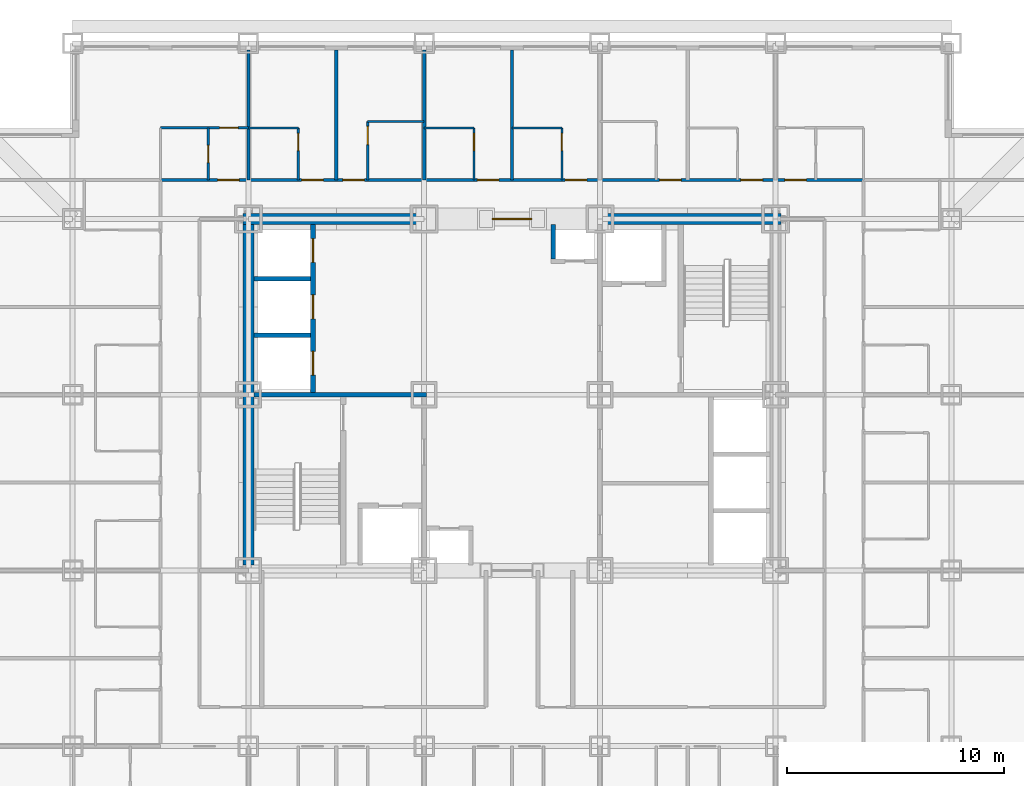
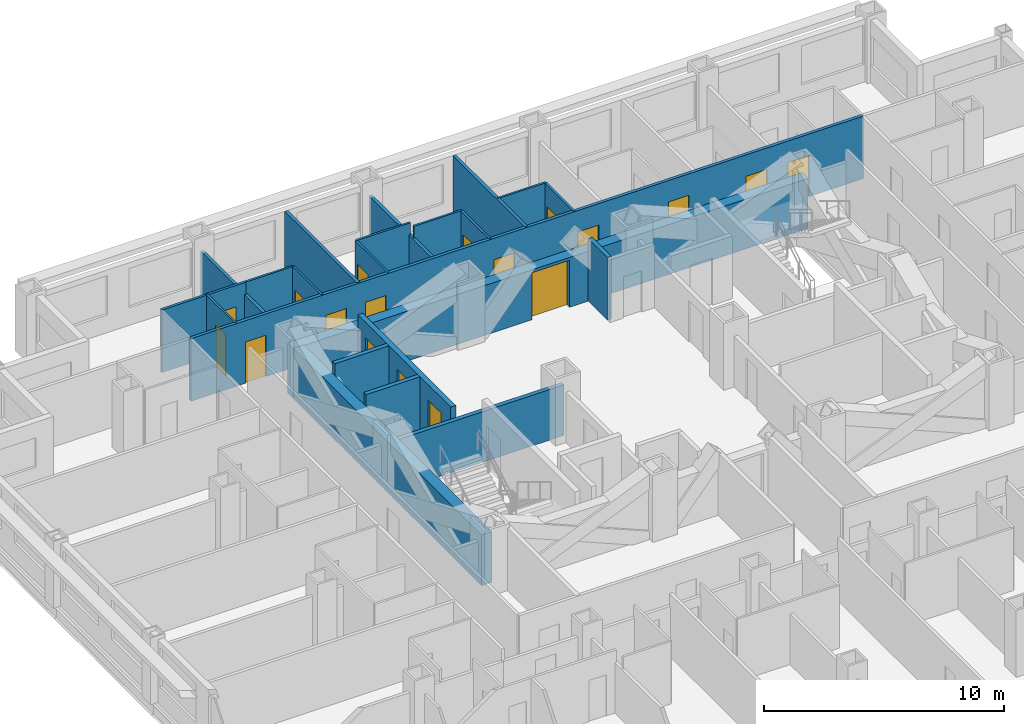
# One storey, part 8 of 11: 22 walls, 18 doors, 18 openings.
"""IFC4 building model written with IfcOpenShell, lengths in metres."""

from ifc_helpers import new_model, si_unit, direction, frame, frame_2d, origin, place, context, subcontext, project, spatial, rectangle, extrude, material, layer, layer_set, type_object, element, fill, save


model = new_model("IFC4")

# Units and contexts
model_context = context("Model", 3, precision=1e-05, world=origin(), true_north=direction((0.0, 1.0)))
body_context = subcontext(model_context, "Body", "Model", "MODEL_VIEW")
ifc_project = project(units=[si_unit("LENGTHUNIT", "METRE"), si_unit("AREAUNIT", "SQUARE_METRE"), si_unit("VOLUMEUNIT", "CUBIC_METRE"), si_unit("PLANEANGLEUNIT", "RADIAN"), si_unit("MASSUNIT", "GRAM", prefix="KILO")], contexts=[model_context])

# Site, building, storey
site_placement = place(None, origin())
site = spatial("IfcSite", under=ifc_project, at=site_placement, CompositionType="ELEMENT")
building_placement = place(site_placement, origin())
building = spatial("IfcBuilding", under=site, at=building_placement, Name="Kopane Lantern Tower", CompositionType="ELEMENT")
storey_placement = place(building_placement, frame((0.0, 0.0, 33.0)))
storey = spatial("IfcBuildingStorey", under=building, at=storey_placement, Name="L06", CompositionType="ELEMENT", Elevation=33.0)

# Wall, opening, door
ifc_material_1 = material(Name="Gypsum board on steel studs", Category="steel")
ifc_layer_1 = layer(ifc_material_1, 0.1201171875)
ifc_layer_set_1 = layer_set([ifc_layer_1], Name="APARTMENT INTERNAL WALL 120")
wall_type_1 = type_object("IfcWallType", Name="APARTMENT INTERNAL WALL 120", PredefinedType="PARTITIONING", material=ifc_layer_set_1)
wall_1_placement = place(storey_placement, frame((12.14990234375, 44.699951171875, 0.0), z_axis=(0.0, 0.0, 1.0), x_axis=(1.0, 0.0, 0.0)))
wall_1 = element("IfcWall", 1, at=wall_1_placement, inside=storey, type_object=wall_type_1, Name="Apartment Internal Wall 120 L06", PredefinedType="PARTITIONING", context=body_context, shape_type="SweptSolid", body=[
    extrude(rectangle(XDim=4.050048828125, YDim=0.1201171875, at=frame_2d((2.02490234375, 0.0))), origin(), (0.0, 0.0, 1.0), 3.18994140625),
])
opening_1_placement = place(wall_1_placement, frame((2.72509765625, 0.0, 0.0)))
opening_1 = element("IfcOpeningElement", 2, at=opening_1_placement, cuts=wall_1, Name="Opening L06-074", PredefinedType="OPENING", context=body_context, shape_type="SweptSolid", body=[
    extrude(rectangle(XDim=0.85009765625, YDim=2.10009765625, at=frame_2d((0.425048828125, 1.050048828125))), frame((0.0, 0.070068359375, 0.0), z_axis=(0.0, -1.0, 0.0), x_axis=(1.0, 0.0, 0.0)), (0.0, 0.0, 1.0), 0.14013671875),
])
ifc_material_2 = material(Name="Timber door set", Category="wood")
door_type_1 = type_object("IfcDoorType", Name="DOOR D4 850x2100", OperationType="SINGLE_SWING_LEFT", PredefinedType="DOOR", material=ifc_material_2)
door_1_placement = place(opening_1_placement, origin())
door_1 = element("IfcDoor", 3, at=door_1_placement, inside=storey, type_object=door_type_1, Name="Door L06-074", OperationType="SINGLE_SWING_LEFT", OverallHeight=2.10009765625, OverallWidth=0.85009765625, PredefinedType="DOOR", context=body_context, shape_type="SweptSolid", body=[
    extrude(rectangle(XDim=0.85009765625, YDim=2.10009765625, at=frame_2d((0.425048828125, 1.050048828125))), frame((0.0, 0.02490234375, 0.0), z_axis=(0.0, -1.0, 0.0), x_axis=(1.0, 0.0, 0.0)), (0.0, 0.0, 1.0), 0.050048828125),
])
fill(opening_1, door_1)

# Wall
ifc_material_3 = material(Name="Moisture-resistant board on steel studs", Category="steel")
ifc_layer_2 = layer(ifc_material_3, 0.10009765625)
ifc_layer_set_2 = layer_set([ifc_layer_2], Name="BATHROOM WALL 100")
wall_type_2 = type_object("IfcWallType", Name="BATHROOM WALL 100", PredefinedType="PARTITIONING", material=ifc_layer_set_2)
wall_2_placement = place(storey_placement, frame((16.199951171875, 44.699951171875, 0.0), z_axis=(0.0, 0.0, 1.0), x_axis=(1.0, 0.0, 0.0)))
element("IfcWall", 4, at=wall_2_placement, inside=storey, type_object=wall_type_2, Name="Bathroom Wall 100 L06", PredefinedType="PARTITIONING", context=body_context, shape_type="SweptSolid", body=[
    extrude(rectangle(XDim=2.300048828125, YDim=0.10009765625, at=frame_2d((1.14990234375, 0.0))), origin(), (0.0, 0.0, 1.0), 3.18994140625),
])

# Wall, opening, door
wall_3_placement = place(storey_placement, frame((18.5, 42.300048828125, 0.0), z_axis=(0.0, 0.0, 1.0), x_axis=(0.0, 1.0, 0.0)))
wall_3 = element("IfcWall", 5, at=wall_3_placement, inside=storey, type_object=wall_type_2, Name="Bathroom Wall 100 L06", PredefinedType="PARTITIONING", context=body_context, shape_type="SweptSolid", body=[
    extrude(rectangle(XDim=2.39990234375, YDim=0.10009765625, at=frame_2d((1.199951171875, 0.0))), origin(), (0.0, 0.0, 1.0), 3.18994140625),
])
opening_2_placement = place(wall_3_placement, frame((1.35009765625, 0.0, 0.0)))
opening_2 = element("IfcOpeningElement", 6, at=opening_2_placement, cuts=wall_3, Name="Opening L06-023", PredefinedType="OPENING", context=body_context, shape_type="SweptSolid", body=[
    extrude(rectangle(XDim=0.800048828125, YDim=2.10009765625, at=frame_2d((0.39990234375, 1.050048828125))), frame((0.0, 0.06005859375, 0.0), z_axis=(0.0, -1.0, 0.0), x_axis=(1.0, 0.0, 0.0)), (0.0, 0.0, 1.0), 0.1201171875),
])
ifc_material_4 = material(Name="Timber door set", Category="wood")
door_type_2 = type_object("IfcDoorType", Name="DOOR D2 800x2100", OperationType="SINGLE_SWING_LEFT", PredefinedType="DOOR", material=ifc_material_4)
door_2_placement = place(opening_2_placement, origin())
door_2 = element("IfcDoor", 7, at=door_2_placement, inside=storey, type_object=door_type_2, Name="Door L06-023", OperationType="SINGLE_SWING_RIGHT", OverallHeight=2.10009765625, OverallWidth=0.800048828125, PredefinedType="DOOR", context=body_context, shape_type="SweptSolid", body=[
    extrude(rectangle(XDim=0.800048828125, YDim=2.10009765625, at=frame_2d((0.39990234375, 1.050048828125))), frame((0.0, 0.02490234375, 0.0), z_axis=(0.0, -1.0, 0.0), x_axis=(1.0, 0.0, 0.0)), (0.0, 0.0, 1.0), 0.050048828125),
])
fill(opening_2, door_2)

# Wall
wall_4_placement = place(storey_placement, frame((21.699951171875, 45.0, 0.0), z_axis=(0.0, 0.0, 1.0), x_axis=(1.0, 0.0, 0.0)))
element("IfcWall", 8, at=wall_4_placement, inside=storey, type_object=wall_type_2, Name="Bathroom Wall 100 L06", PredefinedType="PARTITIONING", context=body_context, shape_type="SweptSolid", body=[
    extrude(rectangle(XDim=2.60009765625, YDim=0.10009765625, at=frame_2d((1.300048828125, 0.0))), origin(), (0.0, 0.0, 1.0), 3.18994140625),
])

# Wall, opening, door
wall_5_placement = place(storey_placement, frame((21.699951171875, 42.300048828125, 0.0), z_axis=(0.0, 0.0, 1.0), x_axis=(0.0, 1.0, 0.0)))
wall_5 = element("IfcWall", 9, at=wall_5_placement, inside=storey, type_object=wall_type_2, Name="Bathroom Wall 100 L06", PredefinedType="PARTITIONING", context=body_context, shape_type="SweptSolid", body=[
    extrude(rectangle(XDim=2.699951171875, YDim=0.10009765625, at=frame_2d((1.35009765625, 0.0))), origin(), (0.0, 0.0, 1.0), 3.18994140625),
])
opening_3_placement = place(wall_5_placement, frame((1.625, 0.0, 0.0)))
opening_3 = element("IfcOpeningElement", 10, at=opening_3_placement, cuts=wall_5, Name="Opening L06-025", PredefinedType="OPENING", context=body_context, shape_type="SweptSolid", body=[
    extrude(rectangle(XDim=0.85009765625, YDim=2.10009765625, at=frame_2d((0.425048828125, 1.050048828125))), frame((0.0, 0.06005859375, 0.0), z_axis=(0.0, -1.0, 0.0), x_axis=(1.0, 0.0, 0.0)), (0.0, 0.0, 1.0), 0.1201171875),
])
door_3_placement = place(opening_3_placement, origin())
door_3 = element("IfcDoor", 11, at=door_3_placement, inside=storey, type_object=door_type_1, Name="Door L06-025", OperationType="SINGLE_SWING_LEFT", OverallHeight=2.10009765625, OverallWidth=0.85009765625, PredefinedType="DOOR", context=body_context, shape_type="SweptSolid", body=[
    extrude(rectangle(XDim=0.85009765625, YDim=2.10009765625, at=frame_2d((0.425048828125, 1.050048828125))), frame((0.0, 0.02490234375, 0.0), z_axis=(0.0, -1.0, 0.0), x_axis=(1.0, 0.0, 0.0)), (0.0, 0.0, 1.0), 0.050048828125),
])
fill(opening_3, door_3)

# Wall
wall_6_placement = place(storey_placement, frame((24.300048828125, 44.699951171875, 0.0), z_axis=(0.0, 0.0, 1.0), x_axis=(1.0, 0.0, 0.0)))
element("IfcWall", 12, at=wall_6_placement, inside=storey, type_object=wall_type_2, Name="Bathroom Wall 100 L06", PredefinedType="PARTITIONING", context=body_context, shape_type="SweptSolid", body=[
    extrude(rectangle(XDim=2.300048828125, YDim=0.10009765625, at=frame_2d((1.14990234375, 0.0))), origin(), (0.0, 0.0, 1.0), 3.18994140625),
])

# Wall, opening, door
wall_7_placement = place(storey_placement, frame((26.60009765625, 42.300048828125, 0.0), z_axis=(0.0, 0.0, 1.0), x_axis=(0.0, 1.0, 0.0)))
wall_7 = element("IfcWall", 13, at=wall_7_placement, inside=storey, type_object=wall_type_2, Name="Bathroom Wall 100 L06", PredefinedType="PARTITIONING", context=body_context, shape_type="SweptSolid", body=[
    extrude(rectangle(XDim=2.39990234375, YDim=0.10009765625, at=frame_2d((1.199951171875, 0.0))), origin(), (0.0, 0.0, 1.0), 3.18994140625),
])
opening_4_placement = place(wall_7_placement, frame((1.35009765625, 0.0, 0.0)))
opening_4 = element("IfcOpeningElement", 14, at=opening_4_placement, cuts=wall_7, Name="Opening L06-027", PredefinedType="OPENING", context=body_context, shape_type="SweptSolid", body=[
    extrude(rectangle(XDim=0.800048828125, YDim=2.10009765625, at=frame_2d((0.39990234375, 1.050048828125))), frame((0.0, 0.06005859375, 0.0), z_axis=(0.0, -1.0, 0.0), x_axis=(1.0, 0.0, 0.0)), (0.0, 0.0, 1.0), 0.1201171875),
])
door_4_placement = place(opening_4_placement, origin())
door_4 = element("IfcDoor", 15, at=door_4_placement, inside=storey, type_object=door_type_2, Name="Door L06-027", OperationType="SINGLE_SWING_RIGHT", OverallHeight=2.10009765625, OverallWidth=0.800048828125, PredefinedType="DOOR", context=body_context, shape_type="SweptSolid", body=[
    extrude(rectangle(XDim=0.800048828125, YDim=2.10009765625, at=frame_2d((0.39990234375, 1.050048828125))), frame((0.0, 0.02490234375, 0.0), z_axis=(0.0, -1.0, 0.0), x_axis=(1.0, 0.0, 0.0)), (0.0, 0.0, 1.0), 0.050048828125),
])
fill(opening_4, door_4)

# Wall
wall_8_placement = place(storey_placement, frame((28.35009765625, 44.699951171875, 0.0), z_axis=(0.0, 0.0, 1.0), x_axis=(1.0, 0.0, 0.0)))
element("IfcWall", 16, at=wall_8_placement, inside=storey, type_object=wall_type_2, Name="Bathroom Wall 100 L06", PredefinedType="PARTITIONING", context=body_context, shape_type="SweptSolid", body=[
    extrude(rectangle(XDim=2.2998046875, YDim=0.10009765625, at=frame_2d((1.14990234375, 0.0))), origin(), (0.0, 0.0, 1.0), 3.18994140625),
])

# Wall, opening, door
wall_9_placement = place(storey_placement, frame((30.64990234375, 42.300048828125, 0.0), z_axis=(0.0, 0.0, 1.0), x_axis=(0.0, 1.0, 0.0)))
wall_9 = element("IfcWall", 17, at=wall_9_placement, inside=storey, type_object=wall_type_2, Name="Bathroom Wall 100 L06", PredefinedType="PARTITIONING", context=body_context, shape_type="SweptSolid", body=[
    extrude(rectangle(XDim=2.39990234375, YDim=0.10009765625, at=frame_2d((1.199951171875, 0.0))), origin(), (0.0, 0.0, 1.0), 3.18994140625),
])
opening_5_placement = place(wall_9_placement, frame((1.35009765625, 0.0, 0.0)))
opening_5 = element("IfcOpeningElement", 18, at=opening_5_placement, cuts=wall_9, Name="Opening L06-029", PredefinedType="OPENING", context=body_context, shape_type="SweptSolid", body=[
    extrude(rectangle(XDim=0.800048828125, YDim=2.10009765625, at=frame_2d((0.39990234375, 1.050048828125))), frame((0.0, 0.06005859375, 0.0), z_axis=(0.0, -1.0, 0.0), x_axis=(1.0, 0.0, 0.0)), (0.0, 0.0, 1.0), 0.1201171875),
])
door_5_placement = place(opening_5_placement, origin())
door_5 = element("IfcDoor", 19, at=door_5_placement, inside=storey, type_object=door_type_2, Name="Door L06-029", OperationType="SINGLE_SWING_RIGHT", OverallHeight=2.10009765625, OverallWidth=0.800048828125, PredefinedType="DOOR", context=body_context, shape_type="SweptSolid", body=[
    extrude(rectangle(XDim=0.800048828125, YDim=2.10009765625, at=frame_2d((0.39990234375, 1.050048828125))), frame((0.0, 0.02490234375, 0.0), z_axis=(0.0, -1.0, 0.0), x_axis=(1.0, 0.0, 0.0)), (0.0, 0.0, 1.0), 0.050048828125),
])
fill(opening_5, door_5)

wall_10_placement = place(storey_placement, frame((14.35009765625, 42.300048828125, 0.0), z_axis=(0.0, 0.0, 1.0), x_axis=(0.0, 1.0, 0.0)))
wall_10 = element("IfcWall", 20, at=wall_10_placement, inside=storey, type_object=wall_type_2, Name="Bathroom Wall 100 L06", PredefinedType="PARTITIONING", context=body_context, shape_type="SweptSolid", body=[
    extrude(rectangle(XDim=2.39990234375, YDim=0.10009765625, at=frame_2d((1.199951171875, 0.0))), origin(), (0.0, 0.0, 1.0), 3.18994140625),
])
opening_6_placement = place(wall_10_placement, frame((0.800048828125, 0.0, 0.0)))
opening_6 = element("IfcOpeningElement", 21, at=opening_6_placement, cuts=wall_10, Name="Opening L06-072", PredefinedType="OPENING", context=body_context, shape_type="SweptSolid", body=[
    extrude(rectangle(XDim=0.800048828125, YDim=2.10009765625, at=frame_2d((0.39990234375, 1.050048828125))), frame((0.0, 0.06005859375, 0.0), z_axis=(0.0, -1.0, 0.0), x_axis=(1.0, 0.0, 0.0)), (0.0, 0.0, 1.0), 0.1201171875),
])
door_6_placement = place(opening_6_placement, origin())
door_6 = element("IfcDoor", 22, at=door_6_placement, inside=storey, type_object=door_type_2, Name="Door L06-072", OperationType="SINGLE_SWING_LEFT", OverallHeight=2.10009765625, OverallWidth=0.800048828125, PredefinedType="DOOR", context=body_context, shape_type="SweptSolid", body=[
    extrude(rectangle(XDim=0.800048828125, YDim=2.10009765625, at=frame_2d((0.39990234375, 1.050048828125))), frame((0.0, 0.02490234375, 0.0), z_axis=(0.0, -1.0, 0.0), x_axis=(1.0, 0.0, 0.0)), (0.0, 0.0, 1.0), 0.050048828125),
])
fill(opening_6, door_6)

ifc_material_5 = material(Name="Gypsum shaft wall EI 120", Category="gypsum")
ifc_layer_3 = layer(ifc_material_5, 0.5)
ifc_layer_set_3 = layer_set([ifc_layer_3], Name="CORE PERIMETER WALL 500 EI 120")
wall_type_3 = type_object("IfcWallType", Name="CORE PERIMETER WALL 500 EI 120", PredefinedType="SOLIDWALL", material=ifc_layer_set_3)
wall_11_placement = place(storey_placement, frame((15.949951171875, 40.5, 0.0), z_axis=(0.0, 0.0, 1.0), x_axis=(1.0, 0.0, 0.0)))
wall_11 = element("IfcWall", 23, at=wall_11_placement, inside=storey, type_object=wall_type_3, Name="Core shaft wall L06 PN", PredefinedType="SOLIDWALL", context=body_context, shape_type="SweptSolid", body=[
    extrude(rectangle(XDim=24.800048828125, YDim=0.5, at=frame_2d((12.39990234375, 0.0))), origin(), (0.0, 0.0, 1.0), 2.5400390625),
])
opening_7_placement = place(wall_11_placement, frame((11.5, 0.0, 0.0)))
opening_7 = element("IfcOpeningElement", 24, at=opening_7_placement, cuts=wall_11, Name="Opening 06.CE-N", PredefinedType="OPENING", context=body_context, shape_type="SweptSolid", body=[
    extrude(rectangle(XDim=1.800048828125, YDim=2.39990234375, at=frame_2d((0.89990234375, 1.199951171875))), frame((0.0, 0.260009765625, 0.0), z_axis=(0.0, -1.0, 0.0), x_axis=(1.0, 0.0, 0.0)), (0.0, 0.0, 1.0), 0.52001953125),
])
ifc_material_6 = material(Name="Steel door set", Category="steel")
door_type_3 = type_object("IfcDoorType", Name="CORE ENTRY DOOR 1800x2400 FD60S", OperationType="DOUBLE_DOOR_SINGLE_SWING", PredefinedType="DOOR", material=ifc_material_6)
door_7_placement = place(opening_7_placement, origin())
door_7 = element("IfcDoor", 25, at=door_7_placement, inside=storey, type_object=door_type_3, Name="Core entry door L06 north", OperationType="DOUBLE_DOOR_SINGLE_SWING", OverallHeight=2.39990234375, OverallWidth=1.800048828125, PredefinedType="DOOR", context=body_context, shape_type="SweptSolid", body=[
    extrude(rectangle(XDim=1.800048828125, YDim=2.39990234375, at=frame_2d((0.89990234375, 1.199951171875))), frame((0.0, 0.02490234375, 0.0), z_axis=(0.0, -1.0, 0.0), x_axis=(1.0, 0.0, 0.0)), (0.0, 0.0, 1.0), 0.050048828125),
])
fill(opening_7, door_7)

# Wall
wall_12_placement = place(storey_placement, frame((16.199951171875, 24.550048828125, 0.0), z_axis=(0.0, 0.0, 1.0), x_axis=(0.0, 1.0, 0.0)))
element("IfcWall", 26, at=wall_12_placement, inside=storey, type_object=wall_type_3, Name="Core shaft wall L06 PW", PredefinedType="SOLIDWALL", context=body_context, shape_type="SweptSolid", body=[
    extrude(rectangle(XDim=15.699951171875, YDim=0.5, at=frame_2d((7.85009765625, 0.0))), origin(), (0.0, 0.0, 1.0), 2.577880859375),
])

# Wall, openings, doors
ifc_material_7 = material(Name="Gypsum shaft wall EI 120", Category="gypsum")
ifc_layer_4 = layer(ifc_material_7, 0.25)
ifc_layer_set_4 = layer_set([ifc_layer_4], Name="CORE SHAFT WALL 250 EI 120")
wall_type_4 = type_object("IfcWallType", Name="CORE SHAFT WALL 250 EI 120", PredefinedType="SOLIDWALL", material=ifc_layer_set_4)
wall_13_placement = place(storey_placement, frame((19.175048828125, 32.5, 0.0), z_axis=(0.0, 0.0, 1.0), x_axis=(0.0, 1.0, 0.0)))
wall_13 = element("IfcWall", 27, at=wall_13_placement, inside=storey, type_object=wall_type_4, Name="Core shaft wall L06 XLH", PredefinedType="SOLIDWALL", context=body_context, shape_type="SweptSolid", body=[
    extrude(rectangle(XDim=7.75, YDim=0.25, at=frame_2d((3.875, 0.0))), origin(), (0.0, 0.0, 1.0), 3.18994140625),
])
opening_8_placement = place(wall_13_placement, frame((0.800048828125, 0.0, 0.0)))
opening_8 = element("IfcOpeningElement", 28, at=opening_8_placement, cuts=wall_13, Name="Opening 06.LD-LH1", PredefinedType="OPENING", context=body_context, shape_type="SweptSolid", body=[
    extrude(rectangle(XDim=1.10009765625, YDim=2.39990234375, at=frame_2d((0.550048828125, 1.199951171875))), frame((0.0, 0.135009765625, 0.0), z_axis=(0.0, -1.0, 0.0), x_axis=(1.0, 0.0, 0.0)), (0.0, 0.0, 1.0), 0.27001953125),
])
opening_9_placement = place(wall_13_placement, frame((3.39990234375, 0.0, 0.0)))
opening_9 = element("IfcOpeningElement", 29, at=opening_9_placement, cuts=wall_13, Name="Opening 06.LD-LH2", PredefinedType="OPENING", context=body_context, shape_type="SweptSolid", body=[
    extrude(rectangle(XDim=1.10009765625, YDim=2.39990234375, at=frame_2d((0.550048828125, 1.199951171875))), frame((0.0, 0.135009765625, 0.0), z_axis=(0.0, -1.0, 0.0), x_axis=(1.0, 0.0, 0.0)), (0.0, 0.0, 1.0), 0.27001953125),
])
opening_10_placement = place(wall_13_placement, frame((6.0, 0.0, 0.0)))
opening_10 = element("IfcOpeningElement", 30, at=opening_10_placement, cuts=wall_13, Name="Opening 06.LD-LH3", PredefinedType="OPENING", context=body_context, shape_type="SweptSolid", body=[
    extrude(rectangle(XDim=1.10009765625, YDim=2.39990234375, at=frame_2d((0.550048828125, 1.199951171875))), frame((0.0, 0.135009765625, 0.0), z_axis=(0.0, -1.0, 0.0), x_axis=(1.0, 0.0, 0.0)), (0.0, 0.0, 1.0), 0.27001953125),
])
ifc_material_8 = material(Name="Steel door set", Category="steel")
door_type_4 = type_object("IfcDoorType", Name="LIFT LANDING DOOR 1100x2400 FD60", OperationType="DOUBLE_DOOR_SLIDING", PredefinedType="DOOR", material=ifc_material_8)
door_8_placement = place(opening_8_placement, origin())
door_8 = element("IfcDoor", 31, at=door_8_placement, inside=storey, type_object=door_type_4, Name="Landing door LH1 L06", OperationType="DOUBLE_DOOR_SLIDING", OverallHeight=2.39990234375, OverallWidth=1.10009765625, PredefinedType="DOOR", context=body_context, shape_type="SweptSolid", body=[
    extrude(rectangle(XDim=1.10009765625, YDim=2.39990234375, at=frame_2d((0.550048828125, 1.199951171875))), frame((0.0, 0.02490234375, 0.0), z_axis=(0.0, -1.0, 0.0), x_axis=(1.0, 0.0, 0.0)), (0.0, 0.0, 1.0), 0.050048828125),
])
fill(opening_8, door_8)
door_9_placement = place(opening_9_placement, origin())
door_9 = element("IfcDoor", 32, at=door_9_placement, inside=storey, type_object=door_type_4, Name="Landing door LH2 L06", OperationType="DOUBLE_DOOR_SLIDING", OverallHeight=2.39990234375, OverallWidth=1.10009765625, PredefinedType="DOOR", context=body_context, shape_type="SweptSolid", body=[
    extrude(rectangle(XDim=1.10009765625, YDim=2.39990234375, at=frame_2d((0.550048828125, 1.199951171875))), frame((0.0, 0.02490234375, 0.0), z_axis=(0.0, -1.0, 0.0), x_axis=(1.0, 0.0, 0.0)), (0.0, 0.0, 1.0), 0.050048828125),
])
fill(opening_9, door_9)
door_10_placement = place(opening_10_placement, origin())
door_10 = element("IfcDoor", 33, at=door_10_placement, inside=storey, type_object=door_type_4, Name="Landing door LH3 L06", OperationType="DOUBLE_DOOR_SLIDING", OverallHeight=2.39990234375, OverallWidth=1.10009765625, PredefinedType="DOOR", context=body_context, shape_type="SweptSolid", body=[
    extrude(rectangle(XDim=1.10009765625, YDim=2.39990234375, at=frame_2d((0.550048828125, 1.199951171875))), frame((0.0, 0.02490234375, 0.0), z_axis=(0.0, -1.0, 0.0), x_axis=(1.0, 0.0, 0.0)), (0.0, 0.0, 1.0), 0.050048828125),
])
fill(opening_10, door_10)

ifc_material_9 = material(Name="Gypsum board on steel studs", Category="steel")
ifc_layer_5 = layer(ifc_material_9, 0.14990234375)
ifc_layer_set_5 = layer_set([ifc_layer_5], Name="CORRIDOR WALL 150 EI 60")
wall_type_5 = type_object("IfcWallType", Name="CORRIDOR WALL 150 EI 60", PredefinedType="PARTITIONING", material=ifc_layer_set_5)
wall_14_placement = place(storey_placement, frame((12.14990234375, 42.300048828125, 0.0), z_axis=(0.0, 0.0, 1.0), x_axis=(1.0, 0.0, 0.0)))
wall_14 = element("IfcWall", 34, at=wall_14_placement, inside=storey, type_object=wall_type_5, Name="Corridor Wall 150 Ei 60 L06", PredefinedType="PARTITIONING", context=body_context, shape_type="SweptSolid", body=[
    extrude(rectangle(XDim=32.400146484375, YDim=0.14990234375, at=frame_2d((16.2001953125, 0.0))), origin(), (0.0, 0.0, 1.0), 3.18994140625),
])
opening_11_placement = place(wall_14_placement, frame((6.5, 0.0, 0.0)))
opening_11 = element("IfcOpeningElement", 35, at=opening_11_placement, cuts=wall_14, Name="Opening L06-024", PredefinedType="OPENING", context=body_context, shape_type="SweptSolid", body=[
    extrude(rectangle(XDim=1.0, YDim=2.10009765625, at=frame_2d((0.5, 1.050048828125))), frame((0.0, 0.0849609375, 0.0), z_axis=(0.0, -1.0, 0.0), x_axis=(1.0, 0.0, 0.0)), (0.0, 0.0, 1.0), 0.169921875),
])
opening_12_placement = place(wall_14_placement, frame((8.39990234375, 0.0, 0.0)))
opening_12 = element("IfcOpeningElement", 36, at=opening_12_placement, cuts=wall_14, Name="Opening L06-026", PredefinedType="OPENING", context=body_context, shape_type="SweptSolid", body=[
    extrude(rectangle(XDim=1.0, YDim=2.10009765625, at=frame_2d((0.5, 1.050048828125))), frame((0.0, 0.0849609375, 0.0), z_axis=(0.0, -1.0, 0.0), x_axis=(1.0, 0.0, 0.0)), (0.0, 0.0, 1.0), 0.169921875),
])
opening_13_placement = place(wall_14_placement, frame((14.60009765625, 0.0, 0.0)))
opening_13 = element("IfcOpeningElement", 37, at=opening_13_placement, cuts=wall_14, Name="Opening L06-028", PredefinedType="OPENING", context=body_context, shape_type="SweptSolid", body=[
    extrude(rectangle(XDim=1.0, YDim=2.10009765625, at=frame_2d((0.5, 1.050048828125))), frame((0.0, 0.0849609375, 0.0), z_axis=(0.0, -1.0, 0.0), x_axis=(1.0, 0.0, 0.0)), (0.0, 0.0, 1.0), 0.169921875),
])
opening_14_placement = place(wall_14_placement, frame((18.64990234375, 0.0, 0.0)))
opening_14 = element("IfcOpeningElement", 38, at=opening_14_placement, cuts=wall_14, Name="Opening L06-030", PredefinedType="OPENING", context=body_context, shape_type="SweptSolid", body=[
    extrude(rectangle(XDim=1.0, YDim=2.10009765625, at=frame_2d((0.5, 1.050048828125))), frame((0.0, 0.0849609375, 0.0), z_axis=(0.0, -1.0, 0.0), x_axis=(1.0, 0.0, 0.0)), (0.0, 0.0, 1.0), 0.169921875),
])
opening_15_placement = place(wall_14_placement, frame((23.0, 0.0, 0.0)))
opening_15 = element("IfcOpeningElement", 39, at=opening_15_placement, cuts=wall_14, Name="Opening L06-032", PredefinedType="OPENING", context=body_context, shape_type="SweptSolid", body=[
    extrude(rectangle(XDim=1.0, YDim=2.10009765625, at=frame_2d((0.5, 1.050048828125))), frame((0.0, 0.0849609375, 0.0), z_axis=(0.0, -1.0, 0.0), x_axis=(1.0, 0.0, 0.0)), (0.0, 0.0, 1.0), 0.169921875),
])
opening_16_placement = place(wall_14_placement, frame((26.75, 0.0, 0.0)))
opening_16 = element("IfcOpeningElement", 40, at=opening_16_placement, cuts=wall_14, Name="Opening L06-034", PredefinedType="OPENING", context=body_context, shape_type="SweptSolid", body=[
    extrude(rectangle(XDim=1.0, YDim=2.10009765625, at=frame_2d((0.5, 1.050048828125))), frame((0.0, 0.0849609375, 0.0), z_axis=(0.0, -1.0, 0.0), x_axis=(1.0, 0.0, 0.0)), (0.0, 0.0, 1.0), 0.169921875),
])
opening_17_placement = place(wall_14_placement, frame((28.77490234375, 0.0, 0.0)))
opening_17 = element("IfcOpeningElement", 41, at=opening_17_placement, cuts=wall_14, Name="Opening L06-070", PredefinedType="OPENING", context=body_context, shape_type="SweptSolid", body=[
    extrude(rectangle(XDim=1.0, YDim=2.10009765625, at=frame_2d((0.5, 1.050048828125))), frame((0.0, 0.0849609375, 0.0), z_axis=(0.0, -1.0, 0.0), x_axis=(1.0, 0.0, 0.0)), (0.0, 0.0, 1.0), 0.169921875),
])
opening_18_placement = place(wall_14_placement, frame((2.625, 0.0, 0.0)))
opening_18 = element("IfcOpeningElement", 42, at=opening_18_placement, cuts=wall_14, Name="Opening L06-073", PredefinedType="OPENING", context=body_context, shape_type="SweptSolid", body=[
    extrude(rectangle(XDim=1.0, YDim=2.10009765625, at=frame_2d((0.5, 1.050048828125))), frame((0.0, 0.0849609375, 0.0), z_axis=(0.0, -1.0, 0.0), x_axis=(1.0, 0.0, 0.0)), (0.0, 0.0, 1.0), 0.169921875),
])
ifc_material_10 = material(Name="Steel door set", Category="steel")
door_type_5 = type_object("IfcDoorType", Name="DOOR D1 1000x2100 FD30S", OperationType="SINGLE_SWING_LEFT", PredefinedType="DOOR", material=ifc_material_10)
door_11_placement = place(opening_11_placement, origin())
door_11 = element("IfcDoor", 43, at=door_11_placement, inside=storey, type_object=door_type_5, Name="Door L06-024", OperationType="SINGLE_SWING_LEFT", OverallHeight=2.10009765625, OverallWidth=1.0, PredefinedType="DOOR", context=body_context, shape_type="SweptSolid", body=[
    extrude(rectangle(XDim=1.0, YDim=2.10009765625, at=frame_2d((0.5, 1.050048828125))), frame((0.0, 0.02490234375, 0.0), z_axis=(0.0, -1.0, 0.0), x_axis=(1.0, 0.0, 0.0)), (0.0, 0.0, 1.0), 0.050048828125),
])
fill(opening_11, door_11)
door_12_placement = place(opening_12_placement, origin())
door_12 = element("IfcDoor", 44, at=door_12_placement, inside=storey, type_object=door_type_5, Name="Door L06-026", OperationType="SINGLE_SWING_RIGHT", OverallHeight=2.10009765625, OverallWidth=1.0, PredefinedType="DOOR", context=body_context, shape_type="SweptSolid", body=[
    extrude(rectangle(XDim=1.0, YDim=2.10009765625, at=frame_2d((0.5, 1.050048828125))), frame((0.0, 0.02490234375, 0.0), z_axis=(0.0, -1.0, 0.0), x_axis=(1.0, 0.0, 0.0)), (0.0, 0.0, 1.0), 0.050048828125),
])
fill(opening_12, door_12)
door_13_placement = place(opening_13_placement, origin())
door_13 = element("IfcDoor", 45, at=door_13_placement, inside=storey, type_object=door_type_5, Name="Door L06-028", OperationType="SINGLE_SWING_LEFT", OverallHeight=2.10009765625, OverallWidth=1.0, PredefinedType="DOOR", context=body_context, shape_type="SweptSolid", body=[
    extrude(rectangle(XDim=1.0, YDim=2.10009765625, at=frame_2d((0.5, 1.050048828125))), frame((0.0, 0.02490234375, 0.0), z_axis=(0.0, -1.0, 0.0), x_axis=(1.0, 0.0, 0.0)), (0.0, 0.0, 1.0), 0.050048828125),
])
fill(opening_13, door_13)
door_14_placement = place(opening_14_placement, origin())
door_14 = element("IfcDoor", 46, at=door_14_placement, inside=storey, type_object=door_type_5, Name="Door L06-030", OperationType="SINGLE_SWING_LEFT", OverallHeight=2.10009765625, OverallWidth=1.0, PredefinedType="DOOR", context=body_context, shape_type="SweptSolid", body=[
    extrude(rectangle(XDim=1.0, YDim=2.10009765625, at=frame_2d((0.5, 1.050048828125))), frame((0.0, 0.02490234375, 0.0), z_axis=(0.0, -1.0, 0.0), x_axis=(1.0, 0.0, 0.0)), (0.0, 0.0, 1.0), 0.050048828125),
])
fill(opening_14, door_14)
door_15_placement = place(opening_15_placement, origin())
door_15 = element("IfcDoor", 47, at=door_15_placement, inside=storey, type_object=door_type_5, Name="Door L06-032", OperationType="SINGLE_SWING_LEFT", OverallHeight=2.10009765625, OverallWidth=1.0, PredefinedType="DOOR", context=body_context, shape_type="SweptSolid", body=[
    extrude(rectangle(XDim=1.0, YDim=2.10009765625, at=frame_2d((0.5, 1.050048828125))), frame((0.0, 0.02490234375, 0.0), z_axis=(0.0, -1.0, 0.0), x_axis=(1.0, 0.0, 0.0)), (0.0, 0.0, 1.0), 0.050048828125),
])
fill(opening_15, door_15)
door_16_placement = place(opening_16_placement, origin())
door_16 = element("IfcDoor", 48, at=door_16_placement, inside=storey, type_object=door_type_5, Name="Door L06-034", OperationType="SINGLE_SWING_LEFT", OverallHeight=2.10009765625, OverallWidth=1.0, PredefinedType="DOOR", context=body_context, shape_type="SweptSolid", body=[
    extrude(rectangle(XDim=1.0, YDim=2.10009765625, at=frame_2d((0.5, 1.050048828125))), frame((0.0, 0.02490234375, 0.0), z_axis=(0.0, -1.0, 0.0), x_axis=(1.0, 0.0, 0.0)), (0.0, 0.0, 1.0), 0.050048828125),
])
fill(opening_16, door_16)
door_17_placement = place(opening_17_placement, origin())
door_17 = element("IfcDoor", 49, at=door_17_placement, inside=storey, type_object=door_type_5, Name="Door L06-070", OperationType="SINGLE_SWING_RIGHT", OverallHeight=2.10009765625, OverallWidth=1.0, PredefinedType="DOOR", context=body_context, shape_type="SweptSolid", body=[
    extrude(rectangle(XDim=1.0, YDim=2.10009765625, at=frame_2d((0.5, 1.050048828125))), frame((0.0, 0.02490234375, 0.0), z_axis=(0.0, -1.0, 0.0), x_axis=(1.0, 0.0, 0.0)), (0.0, 0.0, 1.0), 0.050048828125),
])
fill(opening_17, door_17)
door_18_placement = place(opening_18_placement, origin())
door_18 = element("IfcDoor", 50, at=door_18_placement, inside=storey, type_object=door_type_5, Name="Door L06-073", OperationType="SINGLE_SWING_LEFT", OverallHeight=2.10009765625, OverallWidth=1.0, PredefinedType="DOOR", context=body_context, shape_type="SweptSolid", body=[
    extrude(rectangle(XDim=1.0, YDim=2.10009765625, at=frame_2d((0.5, 1.050048828125))), frame((0.0, 0.02490234375, 0.0), z_axis=(0.0, -1.0, 0.0), x_axis=(1.0, 0.0, 0.0)), (0.0, 0.0, 1.0), 0.050048828125),
])
fill(opening_18, door_18)

# Walls
ifc_material_11 = material(Name="Gypsum board on steel studs", Category="steel")
ifc_layer_6 = layer(ifc_material_11, 0.14990234375)
ifc_layer_set_6 = layer_set([ifc_layer_6], Name="DEMISING WALL 150 EI 60")
wall_type_6 = type_object("IfcWallType", Name="DEMISING WALL 150 EI 60", PredefinedType="PARTITIONING", material=ifc_layer_set_6)
wall_15_placement = place(storey_placement, frame((20.25, 42.300048828125, 0.0), z_axis=(0.0, 0.0, 1.0), x_axis=(0.0, 1.0, 0.0)))
element("IfcWall", 51, at=wall_15_placement, inside=storey, type_object=wall_type_6, Name="Demising Wall 150 Ei 60 L06", PredefinedType="PARTITIONING", context=body_context, shape_type="SweptSolid", body=[
    extrude(rectangle(XDim=6.0, YDim=0.14990234375, at=frame_2d((3.0, 0.0))), origin(), (0.0, 0.0, 1.0), 3.18994140625),
])
wall_16_placement = place(storey_placement, frame((24.300048828125, 42.300048828125, 0.0), z_axis=(0.0, 0.0, 1.0), x_axis=(0.0, 1.0, 0.0)))
element("IfcWall", 52, at=wall_16_placement, inside=storey, type_object=wall_type_6, Name="Demising Wall 150 Ei 60 L06", PredefinedType="PARTITIONING", context=body_context, shape_type="SweptSolid", body=[
    extrude(rectangle(XDim=6.0, YDim=0.14990234375, at=frame_2d((3.0, 0.0))), origin(), (0.0, 0.0, 1.0), 2.577880859375),
])
wall_17_placement = place(storey_placement, frame((28.35009765625, 42.300048828125, 0.0), z_axis=(0.0, 0.0, 1.0), x_axis=(0.0, 1.0, 0.0)))
element("IfcWall", 53, at=wall_17_placement, inside=storey, type_object=wall_type_6, Name="Demising Wall 150 Ei 60 L06", PredefinedType="PARTITIONING", context=body_context, shape_type="SweptSolid", body=[
    extrude(rectangle(XDim=6.0, YDim=0.14990234375, at=frame_2d((3.0, 0.0))), origin(), (0.0, 0.0, 1.0), 3.18994140625),
])
wall_18_placement = place(storey_placement, frame((16.199951171875, 42.300048828125, 0.0), z_axis=(0.0, 0.0, 1.0), x_axis=(0.0, 1.0, 0.0)))
element("IfcWall", 54, at=wall_18_placement, inside=storey, type_object=wall_type_6, Name="Demising Wall 150 Ei 60 L06", PredefinedType="PARTITIONING", context=body_context, shape_type="SweptSolid", body=[
    extrude(rectangle(XDim=6.0, YDim=0.14990234375, at=frame_2d((3.0, 0.0))), origin(), (0.0, 0.0, 1.0), 2.577880859375),
])
ifc_material_12 = material(Name="Gypsum shaft wall EI 120", Category="gypsum")
ifc_layer_7 = layer(ifc_material_12, 0.199951171875)
ifc_layer_set_7 = layer_set([ifc_layer_7], Name="SHAFT WALL 200 EI 120")
wall_type_7 = type_object("IfcWallType", Name="SHAFT WALL 200 EI 120", PredefinedType="SOLIDWALL", material=ifc_layer_set_7)
wall_19_placement = place(storey_placement, frame((16.449951171875, 32.39990234375, 0.0), z_axis=(0.0, 0.0, 1.0), x_axis=(1.0, 0.0, 0.0)))
element("IfcWall", 55, at=wall_19_placement, inside=storey, type_object=wall_type_7, Name="Core shaft wall L06 Y324W", PredefinedType="SOLIDWALL", context=body_context, shape_type="SweptSolid", body=[
    extrude(rectangle(XDim=7.949951171875, YDim=0.199951171875, at=frame_2d((3.97509765625, 0.0))), origin(), (0.0, 0.0, 1.0), 2.577880859375),
])
for number, where, z_axis, x_axis, name in (
    (56, (16.449951171875, 35.14990234375, 0.0), (0.0, 0.0, 1.0), (1.0, 0.0, 0.0), "Core shaft wall L06 YLH12"),
    (57, (16.449951171875, 37.75, 0.0), (0.0, 0.0, 1.0), (1.0, 0.0, 0.0), "Core shaft wall L06 YLH23"),
):
    element("IfcWall", number, at=place(storey_placement, frame(where, z_axis=z_axis, x_axis=x_axis)), inside=storey, type_object=wall_type_7, Name=name, PredefinedType="SOLIDWALL", context=body_context, shape_type="SweptSolid", body=[
        extrude(rectangle(XDim=2.60009765625, YDim=0.199951171875, at=frame_2d((1.300048828125, 0.0))), origin(), (0.0, 0.0, 1.0), 3.18994140625),
    ])
wall_20_placement = place(storey_placement, frame((30.25, 38.64990234375, 0.0), z_axis=(0.0, 0.0, 1.0), x_axis=(0.0, 1.0, 0.0)))
element("IfcWall", 58, at=wall_20_placement, inside=storey, type_object=wall_type_7, Name="Core shaft wall L06 XRS2", PredefinedType="SOLIDWALL", context=body_context, shape_type="SweptSolid", body=[
    extrude(rectangle(XDim=1.60009765625, YDim=0.199951171875, at=frame_2d((0.800048828125, 0.0))), origin(), (0.0, 0.0, 1.0), 3.18994140625),
])

save(model, "model.ifc")
